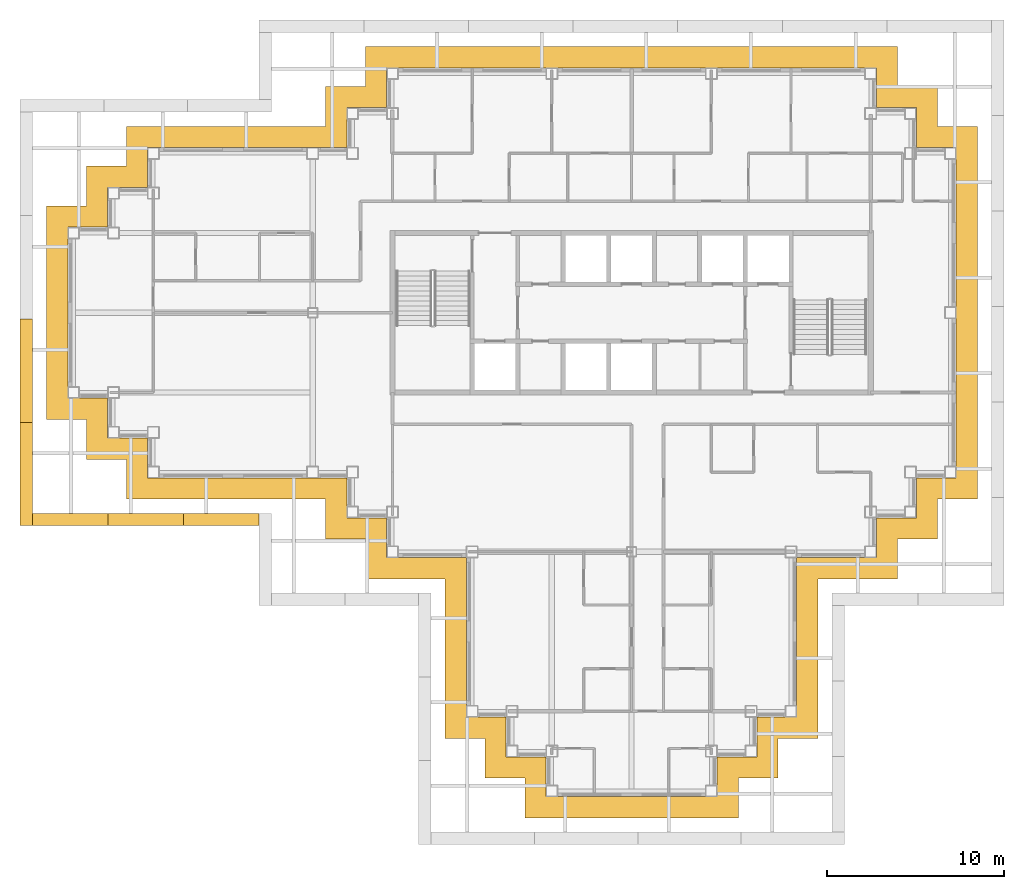
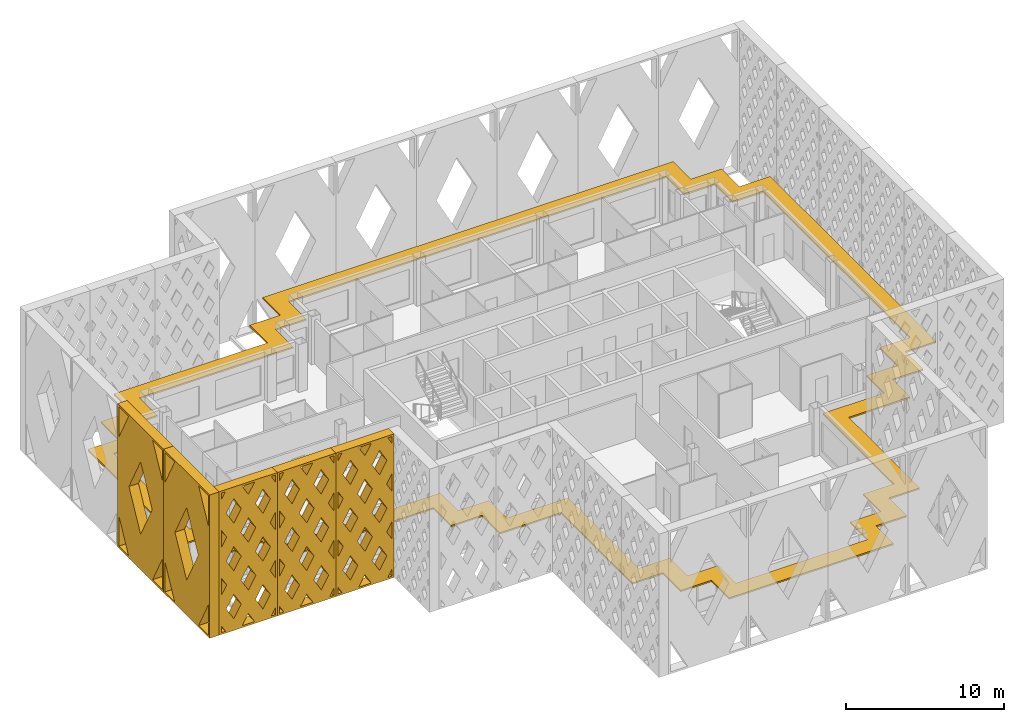
# One storey, part 12 of 17: 6 shading devices.
"""IFC4 building model written with IfcOpenShell, lengths in metres."""

import ifcopenshell
import ifcopenshell.guid

model = None  # the IFC model being written
_history = None  # IfcOwnerHistory: only IFC2X3 demands one
_inside = {}  # id of a spatial element -> (the spatial element, [elements in it])
_under = {}  # id of a project, library or spatial element -> (it, [spatial elements below it])
_declared = {}  # id of a project -> (the project, [libraries it declares])
_typed = {}  # id of a type object -> (the type object, [elements of that type])
_made_of = {}  # id of a material, layer set ... -> (it, [elements and type objects made of it])


def new_model(schema):
    """Start an empty IFC model of exactly this schema.

    Asked for "IFC4X3", IfcOpenShell would pick the latest addendum, in which some entities
    have other attributes; the version numbers below select the first issue.
    IFC2X3 requires an IfcOwnerHistory on every rooted entity: one is made here for all.
    """
    global model, _history
    if schema == "IFC4X3":
        model = ifcopenshell.file(schema_version=(4, 3, 0, 0))
    else:
        model = ifcopenshell.file(schema=schema)
    _inside.clear()
    _under.clear()
    _declared.clear()
    _typed.clear()
    _made_of.clear()
    _history = None
    if model.schema == "IFC2X3":
        org = make("IfcOrganization", Name="unknown")
        user = make(
            "IfcPersonAndOrganization",
            ThePerson=make("IfcPerson", FamilyName="unknown"),
            TheOrganization=org,
        )
        app = make(
            "IfcApplication",
            ApplicationDeveloper=org,
            Version="unknown",
            ApplicationFullName="unknown",
            ApplicationIdentifier="unknown",
        )
        _history = make(
            "IfcOwnerHistory",
            OwningUser=user,
            OwningApplication=app,
            ChangeAction="ADDED",
            CreationDate=0,
        )
    return model


def make(cls, **values):
    """One entity of the class cls with the attributes given. An attribute that is None is left unset."""
    return model.create_entity(
        cls, **{name: value for name, value in values.items() if value is not None}
    )


def rooted(cls, **values):
    """An entity with a GlobalId (a new one), such as an element, a storey or a relation."""
    return make(cls, GlobalId=ifcopenshell.guid.new(), OwnerHistory=_history, **values)


def si_unit(unit_type, name, prefix=None):
    """IfcSIUnit, for example si_unit("LENGTHUNIT", "METRE", prefix="MILLI")."""
    return make("IfcSIUnit", UnitType=unit_type, Prefix=prefix, Name=name)


def assignment(units):
    """IfcUnitAssignment: the units of a project."""
    return None if units is None else make("IfcUnitAssignment", Units=units)


def point(xyz):
    """IfcCartesianPoint."""
    return None if xyz is None else make("IfcCartesianPoint", Coordinates=xyz)


def direction(xyz):
    """IfcDirection."""
    return None if xyz is None else make("IfcDirection", DirectionRatios=xyz)


def frame(location, z_axis=None, x_axis=None):
    """IfcAxis2Placement3D, a coordinate frame: its origin and axes. An axis left out is left unset."""
    return make(
        "IfcAxis2Placement3D",
        Location=point(location),
        Axis=direction(z_axis),
        RefDirection=direction(x_axis),
    )


def origin():
    """The frame at (0, 0, 0) with its axes left unset."""
    return frame((0.0, 0.0, 0.0))


def place(relative_to, where):
    """IfcLocalPlacement: puts the frame where relative to a parent placement (None: the world)."""
    return make(
        "IfcLocalPlacement", PlacementRelTo=relative_to, RelativePlacement=where
    )


def context(
    kind, dimensions, precision=None, world=None, true_north=None, identifier=None
):
    """IfcGeometricRepresentationContext, for example the 3D "Model" context."""
    return make(
        "IfcGeometricRepresentationContext",
        ContextIdentifier=identifier,
        ContextType=kind,
        CoordinateSpaceDimension=dimensions,
        Precision=precision,
        WorldCoordinateSystem=world,
        TrueNorth=true_north,
    )


def subcontext(parent, identifier, kind, view, scale=None):
    """IfcGeometricRepresentationSubContext, for example "Body" below "Model"."""
    return make(
        "IfcGeometricRepresentationSubContext",
        ContextIdentifier=identifier,
        ContextType=kind,
        ParentContext=parent,
        TargetScale=scale,
        TargetView=view,
    )


def project(units=None, contexts=None):
    """IfcProject with its units and contexts."""
    return rooted(
        "IfcProject",
        Name="project",
        RepresentationContexts=contexts,
        UnitsInContext=assignment(units),
    )


def spatial(cls, under=None, at=None, **own):
    """A site, building, storey or space (cls), placed at a placement, below another one or the project."""
    s = rooted(cls, ObjectPlacement=at, **own)
    if under is not None:
        _under.setdefault(under.id(), (under, []))[1].append(s)
    return s


def polyline(points):
    """IfcPolyline through the points."""
    return make("IfcPolyline", Points=[point(p) for p in points])


def outline(outer, holes=None, kind="AREA"):
    """IfcArbitraryClosedProfileDef: a profile drawn as a closed curve; with holes, ...WithVoids."""
    if holes is None:
        return make("IfcArbitraryClosedProfileDef", ProfileType=kind, OuterCurve=outer)
    return make(
        "IfcArbitraryProfileDefWithVoids",
        ProfileType=kind,
        OuterCurve=outer,
        InnerCurves=holes,
    )


def extrude(swept, where, along, depth):
    """IfcExtrudedAreaSolid: the profile swept, set in the frame where, extruded along a direction by depth."""
    return make(
        "IfcExtrudedAreaSolid",
        SweptArea=swept,
        Position=where,
        ExtrudedDirection=direction(along),
        Depth=depth,
    )


def shape(context_of_items, identifier, shape_type, items):
    """IfcShapeRepresentation: the items that make up one representation, for example the "Body"."""
    return make(
        "IfcShapeRepresentation",
        ContextOfItems=context_of_items,
        RepresentationIdentifier=identifier,
        RepresentationType=shape_type,
        Items=items,
    )


def material(Name=None, Category=None):
    """IfcMaterial."""
    return make("IfcMaterial", Name=Name, Category=Category)


def layer(
    of_material, thickness, ventilated=None, Name=None, Category=None, Priority=None
):
    """IfcMaterialLayer: one layer of a wall or slab, of a material (None: an air gap)."""
    return make(
        "IfcMaterialLayer",
        Material=of_material,
        LayerThickness=thickness,
        IsVentilated=ventilated,
        Name=Name,
        Category=Category,
        Priority=Priority,
    )


def layer_set(layers, Name=None):
    """IfcMaterialLayerSet."""
    return make("IfcMaterialLayerSet", MaterialLayers=layers, LayerSetName=Name)


def made_of(thing, what):
    """Note that an element or type object is made of a material, layer set ...; save() writes the relation."""
    if what is not None:
        _made_of.setdefault(what.id(), (what, []))[1].append(thing)
    return thing


def type_object(cls, material=None, **own):
    """A type object (cls), such as IfcWallType, which elements share."""
    return made_of(rooted(cls, **own), material)


def element(
    cls,
    number,
    at=None,
    inside=None,
    cuts=None,
    type_object=None,
    material=None,
    context=None,
    identifier="Body",
    shape_type=None,
    held_by="IfcProductDefinitionShape",
    body=None,
    shapes=None,
    **own,
):
    """One element of the class cls, such as IfcWall. Its Tag is "e" and its number.

    at: its placement. inside: the storey or other place that contains it. cuts: it is an
    opening in that element (IfcRelVoidsElement). A single representation is given by context,
    identifier, shape_type and body (its items); several are given by shapes. held_by: the class
    of the entity that holds the representations. save() writes the other relations.
    """
    e = rooted(cls, Tag="e%d" % number, ObjectPlacement=at, **own)
    if body is not None:
        shapes = [shape(context, identifier, shape_type, body)]
    if shapes is not None:
        e.Representation = make(held_by, Representations=shapes)
    if inside is not None:
        _inside.setdefault(inside.id(), (inside, []))[1].append(e)
    if cuts is not None:
        rooted(
            "IfcRelVoidsElement", RelatingBuildingElement=cuts, RelatedOpeningElement=e
        )
    if type_object is not None:
        _typed.setdefault(type_object.id(), (type_object, []))[1].append(e)
    return made_of(e, material)


def aggregate(whole, parts):
    """IfcRelAggregates: a whole, such as a stair, and the parts it consists of."""
    return rooted("IfcRelAggregates", RelatingObject=whole, RelatedObjects=parts)


def save(model, path):
    """Write the relations noted so far, then the file.

    IfcRelAggregates (storeys below a building ...), IfcRelContainedInSpatialStructure (elements
    in a storey), IfcRelDefinesByType, IfcRelAssociatesMaterial and IfcRelDeclares: one each for
    every whole, place, type object, material and project.
    """
    for whole, parts in _under.values():
        aggregate(whole, parts)
    for where, things in _inside.values():
        rooted(
            "IfcRelContainedInSpatialStructure",
            RelatedElements=things,
            RelatingStructure=where,
        )
    for kind, things in _typed.values():
        rooted("IfcRelDefinesByType", RelatedObjects=things, RelatingType=kind)
    for what, things in _made_of.values():
        rooted("IfcRelAssociatesMaterial", RelatedObjects=things, RelatingMaterial=what)
    for by, libraries in _declared.values():
        rooted("IfcRelDeclares", RelatingContext=by, RelatedDefinitions=libraries)
    model.write(path)


model = new_model("IFC4")

# Units and contexts
model_context = context("Model", 3, precision=1e-05, world=origin(), true_north=direction((0.0, 1.0)))
body_context = subcontext(model_context, "Body", "Model", "MODEL_VIEW")
ifc_project = project(units=[si_unit("LENGTHUNIT", "METRE"), si_unit("AREAUNIT", "SQUARE_METRE"), si_unit("VOLUMEUNIT", "CUBIC_METRE"), si_unit("PLANEANGLEUNIT", "RADIAN"), si_unit("MASSUNIT", "GRAM", prefix="KILO")], contexts=[model_context])

# Site, building, storey
site_placement = place(None, origin())
site = spatial("IfcSite", under=ifc_project, at=site_placement, CompositionType="ELEMENT")
building_placement = place(site_placement, origin())
building = spatial("IfcBuilding", under=site, at=building_placement, Name="Caravel Reach Hotel and Residences", CompositionType="ELEMENT")
storey_placement = place(building_placement, frame((0.0, 0.0, 222.0)))
storey = spatial("IfcBuildingStorey", under=building, at=storey_placement, Name="L56", CompositionType="ELEMENT", Elevation=222.0)

# Shading devices
ifc_material_1 = material(Name="Black powder-coated aluminium", Category="aluminium")
shading_device_type_1 = type_object("IfcShadingDeviceType", Name="Diamond lattice screen panel 4267 x 11100", PredefinedType="USERDEFINED", material=ifc_material_1)
shading_device_1_placement = place(storey_placement, frame((-2.324951171875, 15.675048828125, 0.0), z_axis=(0.0, -1.0, 0.0), x_axis=(1.0, 0.0, 0.0)))
element("IfcShadingDevice", 1, at=shading_device_1_placement, inside=storey, type_object=shading_device_type_1, Name="Lattice screen L56-L58 8.1", ObjectType="SCREEN", PredefinedType="USERDEFINED", context=body_context, shape_type="SweptSolid", body=[
    extrude(outline(polyline([(0.0, 0.0), (4.2666015625, 0.0), (4.2666015625, 11.10009765625), (0.0, 11.10009765625), (0.0, 0.0)]), holes=[polyline([(0.45947265625, 0.14990234375), (0.14990234375, 0.6865234375), (0.14990234375, 0.14990234375), (0.45947265625, 0.14990234375)]), polyline([(0.5458984375, 3.699951171875), (0.14990234375, 4.386474609375), (0.14990234375, 3.013427734375), (0.5458984375, 3.699951171875)]), polyline([(0.5458984375, 7.39990234375), (0.14990234375, 8.086669921875), (0.14990234375, 6.71337890625), (0.5458984375, 7.39990234375)]), polyline([(0.14990234375, 10.413330078125), (0.45947265625, 10.949951171875), (0.14990234375, 10.949951171875), (0.14990234375, 10.413330078125)]), polyline([(1.066650390625, 2.796630859375), (0.520751953125, 1.85009765625), (1.066650390625, 0.9033203125), (1.612548828125, 1.85009765625), (1.066650390625, 2.796630859375)]), polyline([(1.066650390625, 6.496826171875), (0.520751953125, 5.550048828125), (1.066650390625, 4.603271484375), (1.612548828125, 5.550048828125), (1.066650390625, 6.496826171875)]), polyline([(1.066650390625, 10.19677734375), (0.520751953125, 9.25), (1.066650390625, 8.30322265625), (1.612548828125, 9.25), (1.066650390625, 10.19677734375)]), polyline([(2.13330078125, 0.94677734375), (1.674072265625, 0.14990234375), (2.5927734375, 0.14990234375), (2.13330078125, 0.94677734375)]), polyline([(2.13330078125, 4.646728515625), (1.58740234375, 3.699951171875), (2.13330078125, 2.753173828125), (2.67919921875, 3.699951171875), (2.13330078125, 4.646728515625)]), polyline([(2.13330078125, 8.3466796875), (1.58740234375, 7.39990234375), (2.13330078125, 6.453369140625), (2.67919921875, 7.39990234375), (2.13330078125, 8.3466796875)]), polyline([(2.13330078125, 10.1533203125), (2.5927734375, 10.949951171875), (1.674072265625, 10.949951171875), (2.13330078125, 10.1533203125)]), polyline([(3.199951171875, 2.796630859375), (2.654052734375, 1.85009765625), (3.199951171875, 0.9033203125), (3.745849609375, 1.85009765625), (3.199951171875, 2.796630859375)]), polyline([(3.199951171875, 6.496826171875), (2.654052734375, 5.550048828125), (3.199951171875, 4.603271484375), (3.745849609375, 5.550048828125), (3.199951171875, 6.496826171875)]), polyline([(3.199951171875, 10.19677734375), (2.654052734375, 9.25), (3.199951171875, 8.30322265625), (3.745849609375, 9.25), (3.199951171875, 10.19677734375)]), polyline([(4.11669921875, 0.6865234375), (3.807373046875, 0.14990234375), (4.11669921875, 0.14990234375), (4.11669921875, 0.6865234375)]), polyline([(3.720703125, 3.699951171875), (4.11669921875, 3.013427734375), (4.11669921875, 4.386474609375), (3.720703125, 3.699951171875)]), polyline([(3.720703125, 7.39990234375), (4.11669921875, 6.71337890625), (4.11669921875, 8.086669921875), (3.720703125, 7.39990234375)]), polyline([(3.807373046875, 10.949951171875), (4.11669921875, 10.413330078125), (4.11669921875, 10.949951171875), (3.807373046875, 10.949951171875)])]), origin(), (0.0, 0.0, 1.0), 0.699951171875),
])
shading_device_2_placement = place(storey_placement, frame((1.941650390625, 15.675048828125, 0.0), z_axis=(0.0, -1.0, 0.0), x_axis=(1.0, 0.0, 0.0)))
element("IfcShadingDevice", 2, at=shading_device_2_placement, inside=storey, type_object=shading_device_type_1, Name="Lattice screen L56-L58 8.2", ObjectType="SCREEN", PredefinedType="USERDEFINED", context=body_context, shape_type="SweptSolid", body=[
    extrude(outline(polyline([(0.0, 0.0), (4.2666015625, 0.0), (4.2666015625, 11.10009765625), (0.0, 11.10009765625), (0.0, 0.0)]), holes=[polyline([(0.45947265625, 0.14990234375), (0.14990234375, 0.6865234375), (0.14990234375, 0.14990234375), (0.45947265625, 0.14990234375)]), polyline([(0.5458984375, 3.699951171875), (0.14990234375, 4.386474609375), (0.14990234375, 3.013427734375), (0.5458984375, 3.699951171875)]), polyline([(0.5458984375, 7.39990234375), (0.14990234375, 8.086669921875), (0.14990234375, 6.71337890625), (0.5458984375, 7.39990234375)]), polyline([(0.14990234375, 10.413330078125), (0.45947265625, 10.949951171875), (0.14990234375, 10.949951171875), (0.14990234375, 10.413330078125)]), polyline([(1.066650390625, 2.796630859375), (0.520751953125, 1.85009765625), (1.066650390625, 0.9033203125), (1.612548828125, 1.85009765625), (1.066650390625, 2.796630859375)]), polyline([(1.066650390625, 6.496826171875), (0.520751953125, 5.550048828125), (1.066650390625, 4.603271484375), (1.612548828125, 5.550048828125), (1.066650390625, 6.496826171875)]), polyline([(1.066650390625, 10.19677734375), (0.520751953125, 9.25), (1.066650390625, 8.30322265625), (1.612548828125, 9.25), (1.066650390625, 10.19677734375)]), polyline([(2.13330078125, 0.94677734375), (1.674072265625, 0.14990234375), (2.5927734375, 0.14990234375), (2.13330078125, 0.94677734375)]), polyline([(2.13330078125, 4.646728515625), (1.58740234375, 3.699951171875), (2.13330078125, 2.753173828125), (2.67919921875, 3.699951171875), (2.13330078125, 4.646728515625)]), polyline([(2.13330078125, 8.3466796875), (1.58740234375, 7.39990234375), (2.13330078125, 6.453369140625), (2.67919921875, 7.39990234375), (2.13330078125, 8.3466796875)]), polyline([(2.13330078125, 10.1533203125), (2.5927734375, 10.949951171875), (1.674072265625, 10.949951171875), (2.13330078125, 10.1533203125)]), polyline([(3.199951171875, 2.796630859375), (2.654052734375, 1.85009765625), (3.199951171875, 0.9033203125), (3.745849609375, 1.85009765625), (3.199951171875, 2.796630859375)]), polyline([(3.199951171875, 6.496826171875), (2.654052734375, 5.550048828125), (3.199951171875, 4.603271484375), (3.745849609375, 5.550048828125), (3.199951171875, 6.496826171875)]), polyline([(3.199951171875, 10.19677734375), (2.654052734375, 9.25), (3.199951171875, 8.30322265625), (3.745849609375, 9.25), (3.199951171875, 10.19677734375)]), polyline([(4.11669921875, 0.6865234375), (3.807373046875, 0.14990234375), (4.11669921875, 0.14990234375), (4.11669921875, 0.6865234375)]), polyline([(3.720703125, 3.699951171875), (4.11669921875, 3.013427734375), (4.11669921875, 4.386474609375), (3.720703125, 3.699951171875)]), polyline([(3.720703125, 7.39990234375), (4.11669921875, 6.71337890625), (4.11669921875, 8.086669921875), (3.720703125, 7.39990234375)]), polyline([(3.807373046875, 10.949951171875), (4.11669921875, 10.413330078125), (4.11669921875, 10.949951171875), (3.807373046875, 10.949951171875)])]), origin(), (0.0, 0.0, 1.0), 0.699951171875),
])
shading_device_3_placement = place(storey_placement, frame((6.208251953125, 15.675048828125, 0.0), z_axis=(0.0, -1.0, 0.0), x_axis=(1.0, 0.0, 0.0)))
element("IfcShadingDevice", 3, at=shading_device_3_placement, inside=storey, type_object=shading_device_type_1, Name="Lattice screen L56-L58 8.3", ObjectType="SCREEN", PredefinedType="USERDEFINED", context=body_context, shape_type="SweptSolid", body=[
    extrude(outline(polyline([(0.0, 0.0), (4.2666015625, 0.0), (4.2666015625, 11.10009765625), (0.0, 11.10009765625), (0.0, 0.0)]), holes=[polyline([(0.45947265625, 0.14990234375), (0.14990234375, 0.6865234375), (0.14990234375, 0.14990234375), (0.45947265625, 0.14990234375)]), polyline([(0.5458984375, 3.699951171875), (0.14990234375, 4.386474609375), (0.14990234375, 3.013427734375), (0.5458984375, 3.699951171875)]), polyline([(0.5458984375, 7.39990234375), (0.14990234375, 8.086669921875), (0.14990234375, 6.71337890625), (0.5458984375, 7.39990234375)]), polyline([(0.14990234375, 10.413330078125), (0.45947265625, 10.949951171875), (0.14990234375, 10.949951171875), (0.14990234375, 10.413330078125)]), polyline([(1.066650390625, 2.796630859375), (0.520751953125, 1.85009765625), (1.066650390625, 0.9033203125), (1.612548828125, 1.85009765625), (1.066650390625, 2.796630859375)]), polyline([(1.066650390625, 6.496826171875), (0.520751953125, 5.550048828125), (1.066650390625, 4.603271484375), (1.612548828125, 5.550048828125), (1.066650390625, 6.496826171875)]), polyline([(1.066650390625, 10.19677734375), (0.520751953125, 9.25), (1.066650390625, 8.30322265625), (1.612548828125, 9.25), (1.066650390625, 10.19677734375)]), polyline([(2.13330078125, 0.94677734375), (1.674072265625, 0.14990234375), (2.5927734375, 0.14990234375), (2.13330078125, 0.94677734375)]), polyline([(2.13330078125, 4.646728515625), (1.58740234375, 3.699951171875), (2.13330078125, 2.753173828125), (2.67919921875, 3.699951171875), (2.13330078125, 4.646728515625)]), polyline([(2.13330078125, 8.3466796875), (1.58740234375, 7.39990234375), (2.13330078125, 6.453369140625), (2.67919921875, 7.39990234375), (2.13330078125, 8.3466796875)]), polyline([(2.13330078125, 10.1533203125), (2.5927734375, 10.949951171875), (1.674072265625, 10.949951171875), (2.13330078125, 10.1533203125)]), polyline([(3.199951171875, 2.796630859375), (2.654052734375, 1.85009765625), (3.199951171875, 0.9033203125), (3.745849609375, 1.85009765625), (3.199951171875, 2.796630859375)]), polyline([(3.199951171875, 6.496826171875), (2.654052734375, 5.550048828125), (3.199951171875, 4.603271484375), (3.745849609375, 5.550048828125), (3.199951171875, 6.496826171875)]), polyline([(3.199951171875, 10.19677734375), (2.654052734375, 9.25), (3.199951171875, 8.30322265625), (3.745849609375, 9.25), (3.199951171875, 10.19677734375)]), polyline([(4.11669921875, 0.6865234375), (3.807373046875, 0.14990234375), (4.11669921875, 0.14990234375), (4.11669921875, 0.6865234375)]), polyline([(3.720703125, 3.699951171875), (4.11669921875, 3.013427734375), (4.11669921875, 4.386474609375), (3.720703125, 3.699951171875)]), polyline([(3.720703125, 7.39990234375), (4.11669921875, 6.71337890625), (4.11669921875, 8.086669921875), (3.720703125, 7.39990234375)]), polyline([(3.807373046875, 10.949951171875), (4.11669921875, 10.413330078125), (4.11669921875, 10.949951171875), (3.807373046875, 10.949951171875)])]), origin(), (0.0, 0.0, 1.0), 0.699951171875),
])
ifc_material_2 = material(Name="Black powder-coated aluminium", Category="aluminium")
shading_device_type_2 = type_object("IfcShadingDeviceType", Name="Diamond lattice screen panel 5838 x 11100", PredefinedType="USERDEFINED", material=ifc_material_2)
for number, where, z_axis, x_axis, name in (
    (4, (-2.324951171875, 26.64990234375, 0.0), (-1.0, 0.0, 0.0), (0.0, -1.0, 0.0), "Lattice screen L56-L58 7.3"),
    (5, (-2.324951171875, 20.8125, 0.0), (-1.0, 0.0, 0.0), (0.0, -1.0, 0.0), "Lattice screen L56-L58 7.4"),
):
    element("IfcShadingDevice", number, at=place(storey_placement, frame(where, z_axis=z_axis, x_axis=x_axis)), inside=storey, type_object=shading_device_type_2, Name=name, ObjectType="SCREEN", PredefinedType="USERDEFINED", context=body_context, shape_type="SweptSolid", body=[
        extrude(outline(polyline([(0.0, 0.0), (5.83740234375, 0.0), (5.83740234375, 11.10009765625), (0.0, 11.10009765625), (0.0, 0.0)]), holes=[polyline([(1.399658203125, 0.14990234375), (0.14990234375, 2.5263671875), (0.14990234375, 0.14990234375), (1.399658203125, 0.14990234375)]), polyline([(0.14990234375, 8.573486328125), (1.399658203125, 10.949951171875), (0.14990234375, 10.949951171875), (0.14990234375, 8.573486328125)]), polyline([(2.918701171875, 8.361572265625), (1.440185546875, 5.550048828125), (2.918701171875, 2.73828125), (4.3974609375, 5.550048828125), (2.918701171875, 8.361572265625)]), polyline([(5.6875, 2.5263671875), (4.437744140625, 0.14990234375), (5.6875, 0.14990234375), (5.6875, 2.5263671875)]), polyline([(4.437744140625, 10.949951171875), (5.6875, 8.573486328125), (5.6875, 10.949951171875), (4.437744140625, 10.949951171875)])]), origin(), (0.0, 0.0, 1.0), 0.699951171875),
    ])
ifc_material_3 = material(Name="Black powder-coated aluminium", Category="aluminium")
ifc_layer = layer(ifc_material_3, 0.1201171875)
ifc_layer_set = layer_set([ifc_layer], Name="SS1 Sunshade band 1200")
shading_device_type_3 = type_object("IfcShadingDeviceType", Name="SS1 Sunshade band 1200", PredefinedType="USERDEFINED", material=ifc_layer_set)
shading_device_4_placement = place(storey_placement, frame((0.0, 0.0, 3.0400390625)))
element("IfcShadingDevice", 6, at=shading_device_4_placement, inside=storey, type_object=shading_device_type_3, Name="Sunshade L56 1", ObjectType="SUNSHADE", PredefinedType="USERDEFINED", context=body_context, shape_type="SweptSolid", body=[
    extrude(outline(polyline([(42.02490234375, 2.97509765625), (42.02490234375, 11.97509765625), (46.52490234375, 11.97509765625), (46.52490234375, 14.22509765625), (48.77490234375, 14.22509765625), (48.77490234375, 16.47509765625), (51.02490234375, 16.47509765625), (51.02490234375, 37.52490234375), (48.77490234375, 37.52490234375), (48.77490234375, 39.77490234375), (46.52490234375, 39.77490234375), (46.52490234375, 42.02490234375), (16.47509765625, 42.02490234375), (16.47509765625, 39.77490234375), (14.22509765625, 39.77490234375), (14.22509765625, 37.52490234375), (2.97509765625, 37.52490234375), (2.97509765625, 35.27490234375), (0.72509765625, 35.27490234375), (0.72509765625, 33.02490234375), (-1.52490234375, 33.02490234375), (-1.52490234375, 20.97509765625), (0.72509765625, 20.97509765625), (0.72509765625, 18.72509765625), (2.97509765625, 18.72509765625), (2.97509765625, 16.47509765625), (14.22509765625, 16.47509765625), (14.22509765625, 14.22509765625), (16.47509765625, 14.22509765625), (16.47509765625, 11.97509765625), (20.97509765625, 11.97509765625), (20.97509765625, 2.97509765625), (23.22509765625, 2.97509765625), (23.22509765625, 0.72509765625), (25.47509765625, 0.72509765625), (25.47509765625, -1.52490234375), (37.52490234375, -1.52490234375), (37.52490234375, 0.72509765625), (39.77490234375, 0.72509765625), (39.77490234375, 2.97509765625), (42.02490234375, 2.97509765625)]), holes=[polyline([(45.324951171875, 13.175048828125), (40.824951171875, 13.175048828125), (40.824951171875, 4.175048828125), (38.574951171875, 4.175048828125), (38.574951171875, 1.925048828125), (36.324951171875, 1.925048828125), (36.324951171875, -0.324951171875), (26.675048828125, -0.324951171875), (26.675048828125, 1.925048828125), (24.425048828125, 1.925048828125), (24.425048828125, 4.175048828125), (22.175048828125, 4.175048828125), (22.175048828125, 13.175048828125), (17.675048828125, 13.175048828125), (17.675048828125, 15.425048828125), (15.425048828125, 15.425048828125), (15.425048828125, 17.675048828125), (4.175048828125, 17.675048828125), (4.175048828125, 19.925048828125), (1.925048828125, 19.925048828125), (1.925048828125, 22.175048828125), (-0.324951171875, 22.175048828125), (-0.324951171875, 31.824951171875), (1.925048828125, 31.824951171875), (1.925048828125, 34.074951171875), (4.175048828125, 34.074951171875), (4.175048828125, 36.324951171875), (15.425048828125, 36.324951171875), (15.425048828125, 38.574951171875), (17.675048828125, 38.574951171875), (17.675048828125, 40.824951171875), (45.324951171875, 40.824951171875), (45.324951171875, 38.574951171875), (47.574951171875, 38.574951171875), (47.574951171875, 36.324951171875), (49.824951171875, 36.324951171875), (49.824951171875, 17.675048828125), (47.574951171875, 17.675048828125), (47.574951171875, 15.425048828125), (45.324951171875, 15.425048828125), (45.324951171875, 13.175048828125)])]), origin(), (0.0, 0.0, 1.0), 0.119873046875),
])

save(model, "model.ifc")
